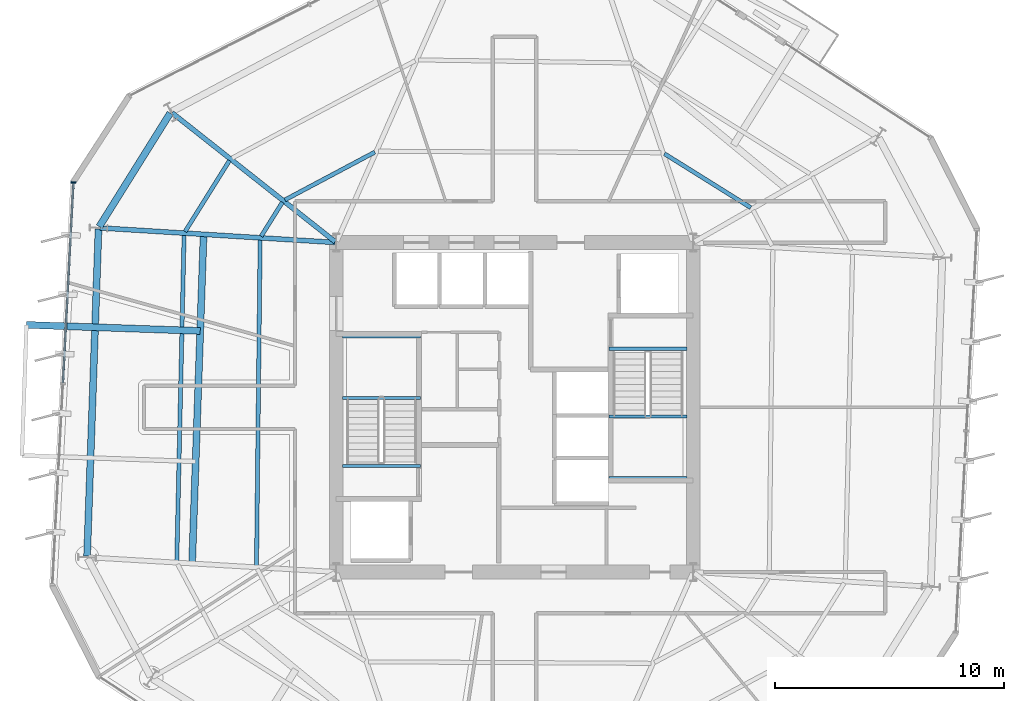
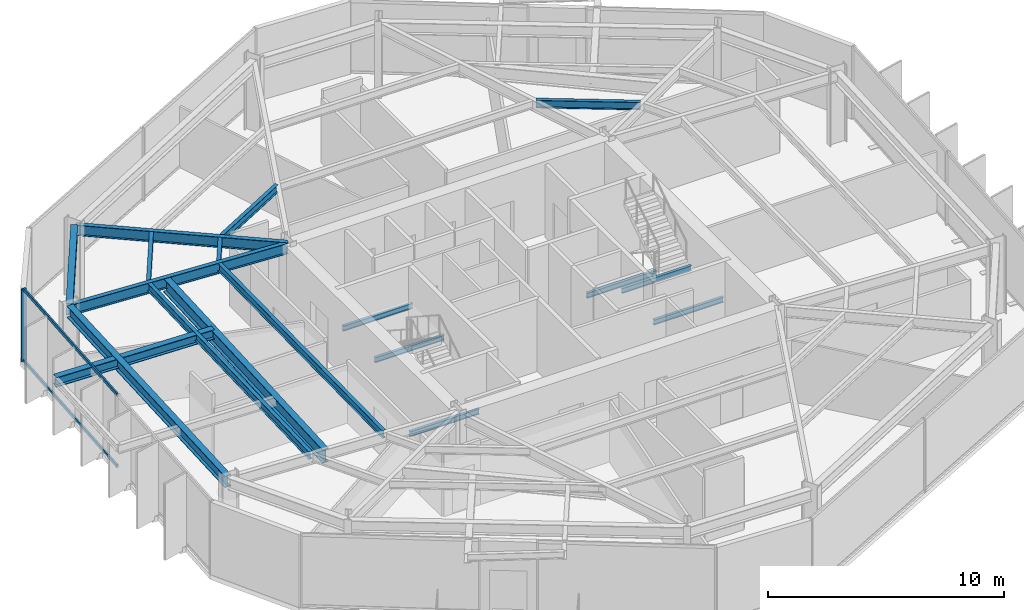
# One storey, part 3 of 10: 18 beams, 3 members, 1 element without a shape of its own.
"""IFC4 building model written with IfcOpenShell, lengths in metres."""

import ifcopenshell
import ifcopenshell.guid

model = None  # the IFC model being written
_history = None  # IfcOwnerHistory: only IFC2X3 demands one
_inside = {}  # id of a spatial element -> (the spatial element, [elements in it])
_under = {}  # id of a project, library or spatial element -> (it, [spatial elements below it])
_declared = {}  # id of a project -> (the project, [libraries it declares])
_typed = {}  # id of a type object -> (the type object, [elements of that type])
_made_of = {}  # id of a material, layer set ... -> (it, [elements and type objects made of it])


def new_model(schema):
    """Start an empty IFC model of exactly this schema.

    Asked for "IFC4X3", IfcOpenShell would pick the latest addendum, in which some entities
    have other attributes; the version numbers below select the first issue.
    IFC2X3 requires an IfcOwnerHistory on every rooted entity: one is made here for all.
    """
    global model, _history
    if schema == "IFC4X3":
        model = ifcopenshell.file(schema_version=(4, 3, 0, 0))
    else:
        model = ifcopenshell.file(schema=schema)
    _inside.clear()
    _under.clear()
    _declared.clear()
    _typed.clear()
    _made_of.clear()
    _history = None
    if model.schema == "IFC2X3":
        org = make("IfcOrganization", Name="unknown")
        user = make(
            "IfcPersonAndOrganization",
            ThePerson=make("IfcPerson", FamilyName="unknown"),
            TheOrganization=org,
        )
        app = make(
            "IfcApplication",
            ApplicationDeveloper=org,
            Version="unknown",
            ApplicationFullName="unknown",
            ApplicationIdentifier="unknown",
        )
        _history = make(
            "IfcOwnerHistory",
            OwningUser=user,
            OwningApplication=app,
            ChangeAction="ADDED",
            CreationDate=0,
        )
    return model


def make(cls, **values):
    """One entity of the class cls with the attributes given. An attribute that is None is left unset."""
    return model.create_entity(
        cls, **{name: value for name, value in values.items() if value is not None}
    )


def rooted(cls, **values):
    """An entity with a GlobalId (a new one), such as an element, a storey or a relation."""
    return make(cls, GlobalId=ifcopenshell.guid.new(), OwnerHistory=_history, **values)


def si_unit(unit_type, name, prefix=None):
    """IfcSIUnit, for example si_unit("LENGTHUNIT", "METRE", prefix="MILLI")."""
    return make("IfcSIUnit", UnitType=unit_type, Prefix=prefix, Name=name)


def assignment(units):
    """IfcUnitAssignment: the units of a project."""
    return None if units is None else make("IfcUnitAssignment", Units=units)


def point(xyz):
    """IfcCartesianPoint."""
    return None if xyz is None else make("IfcCartesianPoint", Coordinates=xyz)


def direction(xyz):
    """IfcDirection."""
    return None if xyz is None else make("IfcDirection", DirectionRatios=xyz)


def frame(location, z_axis=None, x_axis=None):
    """IfcAxis2Placement3D, a coordinate frame: its origin and axes. An axis left out is left unset."""
    return make(
        "IfcAxis2Placement3D",
        Location=point(location),
        Axis=direction(z_axis),
        RefDirection=direction(x_axis),
    )


def frame_2d(location, x_axis=None):
    """IfcAxis2Placement2D, a coordinate frame in the plane: its origin and x axis."""
    return make(
        "IfcAxis2Placement2D", Location=point(location), RefDirection=direction(x_axis)
    )


def origin():
    """The frame at (0, 0, 0) with its axes left unset."""
    return frame((0.0, 0.0, 0.0))


def origin_2d():
    """The frame at (0, 0) in the plane with its x axis left unset."""
    return frame_2d((0.0, 0.0))


def place(relative_to, where):
    """IfcLocalPlacement: puts the frame where relative to a parent placement (None: the world)."""
    return make(
        "IfcLocalPlacement", PlacementRelTo=relative_to, RelativePlacement=where
    )


def context(
    kind, dimensions, precision=None, world=None, true_north=None, identifier=None
):
    """IfcGeometricRepresentationContext, for example the 3D "Model" context."""
    return make(
        "IfcGeometricRepresentationContext",
        ContextIdentifier=identifier,
        ContextType=kind,
        CoordinateSpaceDimension=dimensions,
        Precision=precision,
        WorldCoordinateSystem=world,
        TrueNorth=true_north,
    )


def subcontext(parent, identifier, kind, view, scale=None):
    """IfcGeometricRepresentationSubContext, for example "Body" below "Model"."""
    return make(
        "IfcGeometricRepresentationSubContext",
        ContextIdentifier=identifier,
        ContextType=kind,
        ParentContext=parent,
        TargetScale=scale,
        TargetView=view,
    )


def project(units=None, contexts=None):
    """IfcProject with its units and contexts."""
    return rooted(
        "IfcProject",
        Name="project",
        RepresentationContexts=contexts,
        UnitsInContext=assignment(units),
    )


def spatial(cls, under=None, at=None, **own):
    """A site, building, storey or space (cls), placed at a placement, below another one or the project."""
    s = rooted(cls, ObjectPlacement=at, **own)
    if under is not None:
        _under.setdefault(under.id(), (under, []))[1].append(s)
    return s


def profile(cls, at=None, kind="AREA", **sizes):
    """A parametric profile (cls). Its sizes go by their IFC names, for example OverallWidth=200.0."""
    return make(cls, ProfileType=kind, Position=at, **sizes)


def rectangle(**sizes):
    """IfcRectangleProfileDef."""
    return profile("IfcRectangleProfileDef", **sizes)


def i_section(**sizes):
    """IfcIShapeProfileDef."""
    return profile("IfcIShapeProfileDef", **sizes)


def extrude(swept, where, along, depth):
    """IfcExtrudedAreaSolid: the profile swept, set in the frame where, extruded along a direction by depth."""
    return make(
        "IfcExtrudedAreaSolid",
        SweptArea=swept,
        Position=where,
        ExtrudedDirection=direction(along),
        Depth=depth,
    )


def shape(context_of_items, identifier, shape_type, items):
    """IfcShapeRepresentation: the items that make up one representation, for example the "Body"."""
    return make(
        "IfcShapeRepresentation",
        ContextOfItems=context_of_items,
        RepresentationIdentifier=identifier,
        RepresentationType=shape_type,
        Items=items,
    )


def material(Name=None, Category=None):
    """IfcMaterial."""
    return make("IfcMaterial", Name=Name, Category=Category)


def layer(
    of_material, thickness, ventilated=None, Name=None, Category=None, Priority=None
):
    """IfcMaterialLayer: one layer of a wall or slab, of a material (None: an air gap)."""
    return make(
        "IfcMaterialLayer",
        Material=of_material,
        LayerThickness=thickness,
        IsVentilated=ventilated,
        Name=Name,
        Category=Category,
        Priority=Priority,
    )


def layer_set(layers, Name=None):
    """IfcMaterialLayerSet."""
    return make("IfcMaterialLayerSet", MaterialLayers=layers, LayerSetName=Name)


def material_profile(
    of_material, cross_section, Name=None, Category=None, Priority=None
):
    """IfcMaterialProfile: a cross section and its material."""
    return make(
        "IfcMaterialProfile",
        Name=Name,
        Material=of_material,
        Profile=cross_section,
        Priority=Priority,
        Category=Category,
    )


def profile_set(profiles, Name=None, composite=None):
    """IfcMaterialProfileSet."""
    return make(
        "IfcMaterialProfileSet",
        Name=Name,
        MaterialProfiles=profiles,
        CompositeProfile=composite,
    )


def made_of(thing, what):
    """Note that an element or type object is made of a material, layer set ...; save() writes the relation."""
    if what is not None:
        _made_of.setdefault(what.id(), (what, []))[1].append(thing)
    return thing


def type_object(cls, material=None, **own):
    """A type object (cls), such as IfcWallType, which elements share."""
    return made_of(rooted(cls, **own), material)


def element(
    cls,
    number,
    at=None,
    inside=None,
    cuts=None,
    type_object=None,
    material=None,
    context=None,
    identifier="Body",
    shape_type=None,
    held_by="IfcProductDefinitionShape",
    body=None,
    shapes=None,
    **own,
):
    """One element of the class cls, such as IfcWall. Its Tag is "e" and its number.

    at: its placement. inside: the storey or other place that contains it. cuts: it is an
    opening in that element (IfcRelVoidsElement). A single representation is given by context,
    identifier, shape_type and body (its items); several are given by shapes. held_by: the class
    of the entity that holds the representations. save() writes the other relations.
    """
    e = rooted(cls, Tag="e%d" % number, ObjectPlacement=at, **own)
    if body is not None:
        shapes = [shape(context, identifier, shape_type, body)]
    if shapes is not None:
        e.Representation = make(held_by, Representations=shapes)
    if inside is not None:
        _inside.setdefault(inside.id(), (inside, []))[1].append(e)
    if cuts is not None:
        rooted(
            "IfcRelVoidsElement", RelatingBuildingElement=cuts, RelatedOpeningElement=e
        )
    if type_object is not None:
        _typed.setdefault(type_object.id(), (type_object, []))[1].append(e)
    return made_of(e, material)


def aggregate(whole, parts):
    """IfcRelAggregates: a whole, such as a stair, and the parts it consists of."""
    return rooted("IfcRelAggregates", RelatingObject=whole, RelatedObjects=parts)


def save(model, path):
    """Write the relations noted so far, then the file.

    IfcRelAggregates (storeys below a building ...), IfcRelContainedInSpatialStructure (elements
    in a storey), IfcRelDefinesByType, IfcRelAssociatesMaterial and IfcRelDeclares: one each for
    every whole, place, type object, material and project.
    """
    for whole, parts in _under.values():
        aggregate(whole, parts)
    for where, things in _inside.values():
        rooted(
            "IfcRelContainedInSpatialStructure",
            RelatedElements=things,
            RelatingStructure=where,
        )
    for kind, things in _typed.values():
        rooted("IfcRelDefinesByType", RelatedObjects=things, RelatingType=kind)
    for what, things in _made_of.values():
        rooted("IfcRelAssociatesMaterial", RelatedObjects=things, RelatingMaterial=what)
    for by, libraries in _declared.values():
        rooted("IfcRelDeclares", RelatingContext=by, RelatedDefinitions=libraries)
    model.write(path)


model = new_model("IFC4")

# Units and contexts
model_context = context("Model", 3, precision=1e-05, world=origin(), true_north=direction((0.0, 1.0)))
body_context = subcontext(model_context, "Body", "Model", "MODEL_VIEW")
ifc_project = project(units=[si_unit("LENGTHUNIT", "METRE"), si_unit("AREAUNIT", "SQUARE_METRE"), si_unit("VOLUMEUNIT", "CUBIC_METRE"), si_unit("PLANEANGLEUNIT", "RADIAN"), si_unit("MASSUNIT", "GRAM", prefix="KILO")], contexts=[model_context])

# Site, building, storey
site_placement = place(None, origin())
site = spatial("IfcSite", under=ifc_project, at=site_placement, CompositionType="ELEMENT")
building_placement = place(site_placement, origin())
building = spatial("IfcBuilding", under=site, at=building_placement, Name="Kranzbogen Civic Tower", CompositionType="ELEMENT")
storey_placement = place(building_placement, frame((0.0, 0.0, 130.39990234375)))
storey = spatial("IfcBuildingStorey", under=building, at=storey_placement, Name="L31", CompositionType="ELEMENT", Elevation=130.39990234375)

# Curtain wall, members
ifc_material_1 = material(Name="Pale Anodised Aluminium", Category="aluminium")
ifc_layer = layer(ifc_material_1, 0.219970703125, Name="Pale Anodised Aluminium")
ifc_layer_set = layer_set([ifc_layer], Name="Pale Anodised Aluminium")
curtain_wall_type = type_object("IfcCurtainWallType", Name="Zone 2 Stick Curtain Wall System CW-03", PredefinedType="USERDEFINED", material=ifc_layer_set)
curtain_wall_placement = place(storey_placement, origin())
curtain_wall = element("IfcCurtainWall", 1, at=curtain_wall_placement, inside=storey, type_object=curtain_wall_type, Name="L31 curtain wall CW-L31-F3", ObjectType="STICK CURTAIN WALL", PredefinedType="USERDEFINED")
ifc_material_profile_1 = material_profile(ifc_material_1, rectangle(XDim=0.074951171875, YDim=0.219970703125, at=origin_2d()), Name="ALU-M 75x220")
ifc_profile_set_1 = profile_set([ifc_material_profile_1], Name="Pale Anodised Aluminium")
member_type_1 = type_object("IfcMemberType", Name="Curtain Wall Mullion ALU-M 75x220", PredefinedType="MULLION", material=ifc_profile_set_1)
member_1_placement = place(storey_placement, frame((5.71630859375, 34.825927734375, 0.0), z_axis=(0.0, 0.0, 1.0), x_axis=(-0.052353856933, -0.998628596458, 0.0)))
member_1 = element("IfcMember", 2, at=member_1_placement, type_object=member_type_1, Name="CW-03 mullion 1", PredefinedType="MULLION", context=body_context, shape_type="SweptSolid", body=[
    extrude(rectangle(XDim=0.074951171875, YDim=0.219970703125, at=origin_2d()), origin(), (0.0, 0.0, 1.0), 3.760009765625),
])
ifc_material_profile_2 = material_profile(ifc_material_1, rectangle(XDim=0.074951171875, YDim=0.1650390625, at=origin_2d()), Name="ALU-T 75x165")
ifc_profile_set_2 = profile_set([ifc_material_profile_2], Name="Pale Anodised Aluminium")
member_type_2 = type_object("IfcMemberType", Name="Curtain Wall Transom ALU-T 75x165", PredefinedType="USERDEFINED", material=ifc_profile_set_2)
member_2_placement = place(storey_placement, frame((5.71484375, 34.796142578125, 0.030029296875), z_axis=(-0.0523507402, -0.998628759851, 0.0), x_axis=(0.998628759851, -0.0523507402, 0.0)))
member_2 = element("IfcMember", 3, at=member_2_placement, type_object=member_type_2, Name="CW-03 transom 1.1", ObjectType="TRANSOM", PredefinedType="USERDEFINED", context=body_context, shape_type="SweptSolid", body=[
    extrude(rectangle(XDim=0.074951171875, YDim=0.1650390625, at=origin_2d()), origin(), (0.0, 0.0, 1.0), 8.744140625),
])
member_3_placement = place(storey_placement, frame((5.71484375, 34.796142578125, 3.72998046875), z_axis=(-0.0523507402, -0.998628759851, 0.0), x_axis=(0.998628759851, -0.0523507402, 0.0)))
member_3 = element("IfcMember", 4, at=member_3_placement, type_object=member_type_2, Name="CW-03 transom 1.2", ObjectType="TRANSOM", PredefinedType="USERDEFINED", context=body_context, shape_type="SweptSolid", body=[
    extrude(rectangle(XDim=0.074951171875, YDim=0.1650390625, at=origin_2d()), origin(), (0.0, 0.0, 1.0), 8.744140625),
])
aggregate(curtain_wall, [member_1, member_2, member_3])

# Beams
ifc_material_2 = material(Name="Steel S355", Category="steel")
ifc_material_profile_3 = material_profile(ifc_material_2, i_section(OverallWidth=0.300048828125, OverallDepth=0.5, WebThickness=0.014404296875, FlangeThickness=0.028076171875, at=origin_2d()), Name="HEB 500")
ifc_profile_set_3 = profile_set([ifc_material_profile_3], Name="Steel S355")
beam_type_1 = type_object("IfcBeamType", Name="Perimeter Tube Spandrel Beam HEB 500", PredefinedType="SPANDREL", material=ifc_profile_set_3)
beam_1_placement = place(storey_placement, frame((11.257080078125, 28.3369140625, 3.47021484375), z_axis=(-0.999390906425, 0.034897222738, 0.0), x_axis=(-0.034897222738, -0.999390906425, 0.0)))
element("IfcBeam", 5, at=beam_1_placement, inside=storey, type_object=beam_type_1, Name="L32 back-spanned terrace beam L32-ST-1", PredefinedType="SPANDREL", context=body_context, shape_type="SweptSolid", body=[
    extrude(i_section(OverallWidth=0.300048828125, OverallDepth=0.5, WebThickness=0.014404296875, FlangeThickness=0.028076171875, at=origin_2d()), origin(), (0.0, 0.0, 1.0), 7.59765625),
])
ifc_material_profile_4 = material_profile(ifc_material_2, i_section(OverallWidth=0.300048828125, OverallDepth=0.60009765625, WebThickness=0.015380859375, FlangeThickness=0.030029296875, at=origin_2d()), Name="HEB 600")
ifc_profile_set_4 = profile_set([ifc_material_profile_4], Name="Steel S355")
beam_type_2 = type_object("IfcBeamType", Name="Perimeter Tube Spandrel Beam HEB 600", PredefinedType="SPANDREL", material=ifc_profile_set_4)
beam_2_placement = place(storey_placement, frame((9.945068359375, 37.85693359375, 3.460205078125), z_axis=(-0.529863902903, -0.848082687242, 0.0), x_axis=(0.848082687242, -0.529863902903, 0.0)))
element("IfcBeam", 6, at=beam_2_placement, inside=storey, type_object=beam_type_2, Name="L31 perimeter spandrel beam 11", PredefinedType="SPANDREL", context=body_context, shape_type="SweptSolid", body=[
    extrude(i_section(OverallWidth=0.300048828125, OverallDepth=0.60009765625, WebThickness=0.015380859375, FlangeThickness=0.030029296875, at=origin_2d()), origin(), (0.0, 0.0, 1.0), 5.850830078125),
])
beam_3_placement = place(storey_placement, frame((6.81103515625, 32.783935546875, 3.460205078125), z_axis=(-0.034924229103, -0.999389963038, 0.0), x_axis=(0.999389963038, -0.034924229103, 0.0)))
element("IfcBeam", 7, at=beam_3_placement, inside=storey, type_object=beam_type_2, Name="L31 perimeter spandrel beam 12", PredefinedType="SPANDREL", context=body_context, shape_type="SweptSolid", body=[
    extrude(i_section(OverallWidth=0.300048828125, OverallDepth=0.60009765625, WebThickness=0.015380859375, FlangeThickness=0.030029296875, at=origin_2d()), origin(), (0.0, 0.0, 1.0), 14.288818359375),
])
ifc_material_profile_5 = material_profile(ifc_material_2, i_section(OverallWidth=0.300048828125, OverallDepth=0.699951171875, WebThickness=0.01708984375, FlangeThickness=0.031982421875, at=origin_2d()), Name="HEB 700")
ifc_profile_set_5 = profile_set([ifc_material_profile_5], Name="Steel S355")
beam_type_3 = type_object("IfcBeamType", Name="Perimeter Tube Spandrel Beam HEB 700", PredefinedType="SPANDREL", material=ifc_profile_set_5)
beam_4_placement = place(storey_placement, frame((11.404052734375, 32.55908203125, 3.3701171875), z_axis=(-0.034868227602, -0.99939191847, 0.0), x_axis=(0.99939191847, -0.034868227602, 0.0)))
element("IfcBeam", 8, at=beam_4_placement, inside=storey, type_object=beam_type_3, Name="L32 balcony back-span header girder L32-ST", PredefinedType="SPANDREL", context=body_context, shape_type="SweptSolid", body=[
    extrude(i_section(OverallWidth=0.300048828125, OverallDepth=0.699951171875, WebThickness=0.01708984375, FlangeThickness=0.031982421875, at=origin_2d()), origin(), (0.0, 0.0, 1.0), 14.395751953125),
])
ifc_material_profile_6 = material_profile(ifc_material_2, i_section(OverallWidth=0.2099609375, OverallDepth=0.550048828125, WebThickness=0.010986328125, FlangeThickness=0.01708984375, at=origin_2d()), Name="IPE 550")
ifc_profile_set_6 = profile_set([ifc_material_profile_6], Name="Steel S355")
beam_type_4 = type_object("IfcBeamType", Name="Radial Tower Floor Girder IPE 550", PredefinedType="BEAM", material=ifc_profile_set_6)
beam_5_placement = place(storey_placement, frame((10.02392578125, 37.87109375, 3.485107421875), z_axis=(0.78457455683, -0.620034486763, 0.0), x_axis=(0.620034486763, 0.78457455683, 0.0)))
element("IfcBeam", 9, at=beam_5_placement, inside=storey, type_object=beam_type_4, Name="L31 radial floor girder 11", PredefinedType="BEAM", context=body_context, shape_type="SweptSolid", body=[
    extrude(i_section(OverallWidth=0.2099609375, OverallDepth=0.550048828125, WebThickness=0.010986328125, FlangeThickness=0.01708984375, at=origin_2d()), origin(), (0.0, 0.0, 1.0), 9.086669921875),
])
beam_6_placement = place(storey_placement, frame((6.873046875, 32.840087890625, 3.485107421875), z_axis=(0.998086872961, -0.061827130147, 0.0), x_axis=(0.061827130147, 0.998086872961, 0.0)))
element("IfcBeam", 10, at=beam_6_placement, inside=storey, type_object=beam_type_4, Name="L31 radial floor girder 12", PredefinedType="BEAM", context=body_context, shape_type="SweptSolid", body=[
    extrude(i_section(OverallWidth=0.2099609375, OverallDepth=0.550048828125, WebThickness=0.010986328125, FlangeThickness=0.01708984375, at=origin_2d()), origin(), (0.0, 0.0, 1.0), 10.28662109375),
])
ifc_material_profile_7 = material_profile(ifc_material_2, i_section(OverallWidth=0.179931640625, OverallDepth=0.39990234375, WebThickness=0.008544921875, FlangeThickness=0.013427734375, at=origin_2d()), Name="IPE 400")
ifc_profile_set_7 = profile_set([ifc_material_profile_7], Name="Steel S355")
beam_type_5 = type_object("IfcBeamType", Name="Secondary Composite Floor Joist IPE 400", PredefinedType="JOIST", material=ifc_profile_set_7)
beam_7_placement = place(storey_placement, frame((35.320068359375, 33.72412109375, 3.56005859375), z_axis=(-0.848093834398, 0.529846060716, 0.0), x_axis=(-0.529846060716, -0.848093834398, 0.0)))
element("IfcBeam", 11, at=beam_7_placement, inside=storey, type_object=beam_type_5, Name="L31 secondary floor joist 2.08", PredefinedType="JOIST", context=body_context, shape_type="SweptSolid", body=[
    extrude(i_section(OverallWidth=0.179931640625, OverallDepth=0.39990234375, WebThickness=0.008544921875, FlangeThickness=0.013427734375, at=origin_2d()), origin(), (0.0, 0.0, 1.0), 4.4501953125),
])
beam_8_placement = place(storey_placement, frame((18.888916015625, 36.153076171875, 3.56005859375), z_axis=(-0.882991399158, -0.469389165844, 0.0), x_axis=(0.469389165844, -0.882991399158, 0.0)))
element("IfcBeam", 12, at=beam_8_placement, inside=storey, type_object=beam_type_5, Name="L31 secondary floor joist 2.10", PredefinedType="JOIST", context=body_context, shape_type="SweptSolid", body=[
    extrude(i_section(OverallWidth=0.179931640625, OverallDepth=0.39990234375, WebThickness=0.008544921875, FlangeThickness=0.013427734375, at=origin_2d()), origin(), (0.0, 0.0, 1.0), 4.45068359375),
])
beam_9_placement = place(storey_placement, frame((12.534912109375, 35.784912109375, 3.56005859375), z_axis=(-0.529867065107, -0.848080711557, 0.0), x_axis=(0.848080711557, -0.529867065107, 0.0)))
element("IfcBeam", 13, at=beam_9_placement, inside=storey, type_object=beam_type_5, Name="L31 secondary floor joist 1.11", PredefinedType="JOIST", context=body_context, shape_type="SweptSolid", body=[
    extrude(i_section(OverallWidth=0.179931640625, OverallDepth=0.39990234375, WebThickness=0.008544921875, FlangeThickness=0.013427734375, at=origin_2d()), origin(), (0.0, 0.0, 1.0), 3.6611328125),
])
beam_10_placement = place(storey_placement, frame((14.845947265625, 33.958984375, 3.56005859375), z_axis=(-0.529572623603, -0.84826460278, 0.0), x_axis=(0.84826460278, -0.529572623603, 0.0)))
element("IfcBeam", 14, at=beam_10_placement, inside=storey, type_object=beam_type_5, Name="L31 secondary floor joist 2.11", PredefinedType="JOIST", context=body_context, shape_type="SweptSolid", body=[
    extrude(i_section(OverallWidth=0.179931640625, OverallDepth=0.39990234375, WebThickness=0.008544921875, FlangeThickness=0.013427734375, at=origin_2d()), origin(), (0.0, 0.0, 1.0), 1.75048828125),
])
beam_11_placement = place(storey_placement, frame((10.551025390625, 32.531982421875, 3.56005859375), z_axis=(-0.022402523442, -0.999749031979, 0.0), x_axis=(0.999749031979, -0.022402523442, 0.0)))
element("IfcBeam", 15, at=beam_11_placement, inside=storey, type_object=beam_type_5, Name="L31 secondary floor joist 1.12", PredefinedType="JOIST", context=body_context, shape_type="SweptSolid", body=[
    extrude(i_section(OverallWidth=0.179931640625, OverallDepth=0.39990234375, WebThickness=0.008544921875, FlangeThickness=0.013427734375, at=origin_2d()), origin(), (0.0, 0.0, 1.0), 14.24365234375),
])
beam_12_placement = place(storey_placement, frame((13.875, 32.325927734375, 3.56005859375), z_axis=(-0.011160516663, -0.999937719494, 0.0), x_axis=(0.999937719494, -0.011160516663, 0.0)))
element("IfcBeam", 16, at=beam_12_placement, inside=storey, type_object=beam_type_5, Name="L31 secondary floor joist 2.12", PredefinedType="JOIST", context=body_context, shape_type="SweptSolid", body=[
    extrude(i_section(OverallWidth=0.179931640625, OverallDepth=0.39990234375, WebThickness=0.008544921875, FlangeThickness=0.013427734375, at=origin_2d()), origin(), (0.0, 0.0, 1.0), 14.240966796875),
])
ifc_material_profile_8 = material_profile(ifc_material_2, i_section(OverallWidth=0.135009765625, OverallDepth=0.27001953125, WebThickness=0.006591796875, FlangeThickness=0.01025390625, at=origin_2d()), Name="IPE 270")
ifc_profile_set_8 = profile_set([ifc_material_profile_8], Name="Steel S355")
beam_type_6 = type_object("IfcBeamType", Name="Stair Landing Support Beam IPE 270", PredefinedType="JOIST", material=ifc_profile_set_8)
for number, where, z_axis, x_axis, name in (
    (17, (20.8798828125, 22.43994140625, -0.375), (-1.0, 0.0, 0.0), (0.0, -1.0, 0.0), "L31 ST-T1 stair floor header beam"),
    (18, (20.8798828125, 25.39990234375, 1.6650390625), (-1.0, 0.0, 0.0), (0.0, -1.0, 0.0), "L31 ST-T1 landing support beam 1.1"),
    (19, (20.8798828125, 28.10009765625, 1.6650390625), (-1.0, 0.0, 0.0), (0.0, -1.0, 0.0), "L31 ST-T1 landing support beam 1.2"),
    (20, (29.1201171875, 27.56005859375, -0.375), (1.0, 0.0, 0.0), (0.0, 1.0, 0.0), "L31 ST-T2 stair floor header beam"),
    (21, (29.1201171875, 24.60009765625, 1.6650390625), (1.0, 0.0, 0.0), (0.0, 1.0, 0.0), "L31 ST-T2 landing support beam 1.1"),
    (22, (29.1201171875, 21.89990234375, 1.6650390625), (1.0, 0.0, 0.0), (0.0, 1.0, 0.0), "L31 ST-T2 landing support beam 1.2"),
):
    element("IfcBeam", number, at=place(storey_placement, frame(where, z_axis=z_axis, x_axis=x_axis)), inside=storey, type_object=beam_type_6, Name=name, PredefinedType="JOIST", context=body_context, shape_type="SweptSolid", body=[
        extrude(i_section(OverallWidth=0.135009765625, OverallDepth=0.27001953125, WebThickness=0.006591796875, FlangeThickness=0.01025390625, at=origin_2d()), origin(), (0.0, 0.0, 1.0), 3.409912109375),
    ])

save(model, "model.ifc")
